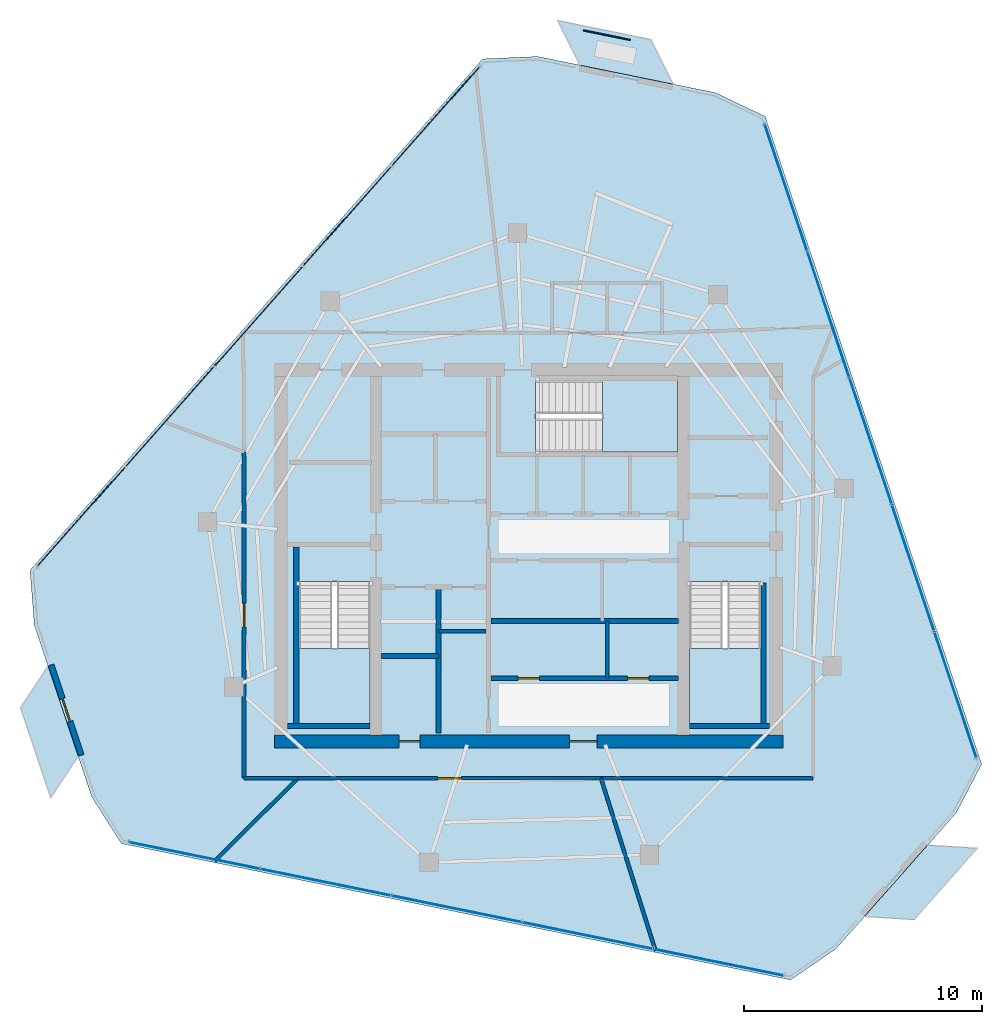
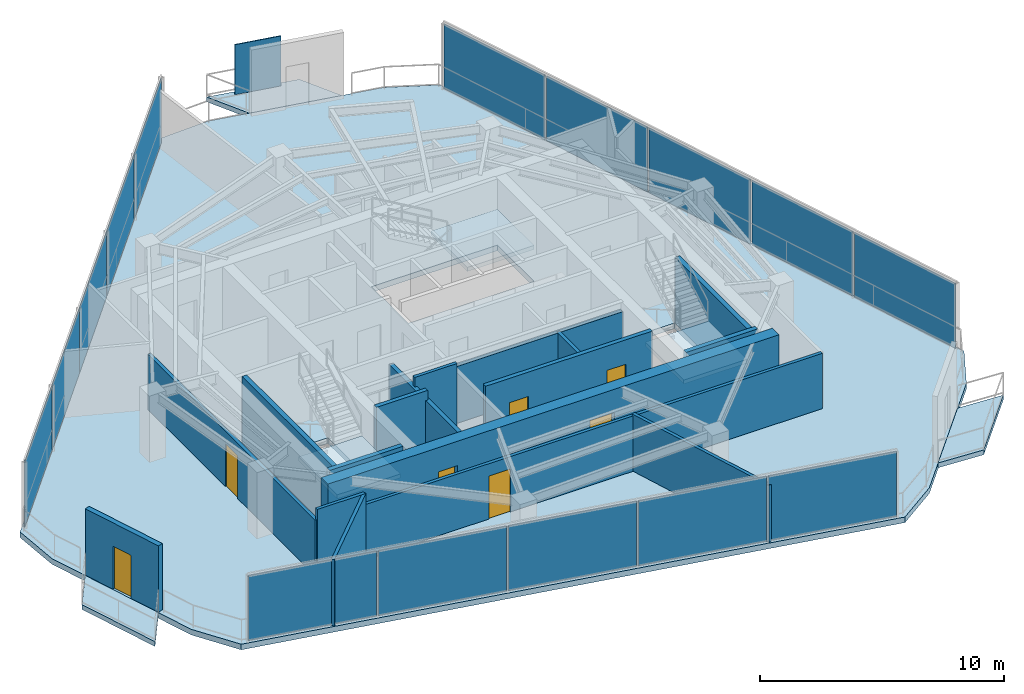
# One storey, part 14 of 18: 18 walls, 16 plates, 7 doors, 7 slabs, 7 openings, 6 elements without a shape of their own.
"""IFC4 building model written with IfcOpenShell, lengths in metres."""

from ifc_helpers import new_model, si_unit, direction, frame, frame_2d, origin, origin_2d, place, context, subcontext, project, spatial, polyline, rectangle, outline, extrude, material, layer, layer_set, type_object, element, fill, aggregate, save


model = new_model("IFC4")

# Units and contexts
model_context = context("Model", 3, precision=1e-05, world=origin(), true_north=direction((0.0, 1.0)))
body_context = subcontext(model_context, "Body", "Model", "MODEL_VIEW")
ifc_project = project(units=[si_unit("LENGTHUNIT", "METRE"), si_unit("AREAUNIT", "SQUARE_METRE"), si_unit("VOLUMEUNIT", "CUBIC_METRE"), si_unit("PLANEANGLEUNIT", "RADIAN"), si_unit("MASSUNIT", "GRAM", prefix="KILO")], contexts=[model_context])

# Site, building, storey
site_placement = place(None, origin())
site = spatial("IfcSite", under=ifc_project, at=site_placement, CompositionType="ELEMENT")
building_placement = place(site_placement, origin())
building = spatial("IfcBuilding", under=site, at=building_placement, Name="Qarnah Convention Tower", CompositionType="ELEMENT")
storey_placement = place(building_placement, frame((0.0, 0.0, 249.89990234375)))
storey = spatial("IfcBuildingStorey", under=building, at=storey_placement, Name="L67", CompositionType="ELEMENT", Elevation=249.89990234375)

# Curtain wall, plates
ifc_material_1 = material(Name="Tempered Low-E dark glass", Category="glass")
ifc_layer_1 = layer(ifc_material_1, 0.176025390625)
ifc_layer_set_1 = layer_set([ifc_layer_1], Name="Tempered Low-E dark glass")
curtain_wall_type = type_object("IfcCurtainWallType", Name="CWS-05", PredefinedType="NOTDEFINED", material=ifc_layer_set_1)
curtain_wall_1_placement = place(storey_placement, origin())
curtain_wall_1 = element("IfcCurtainWall", 1, at=curtain_wall_1_placement, inside=storey, type_object=curtain_wall_type, Name="L67 unitised curtain wall CW-L67-F1", PredefinedType="NOTDEFINED")
ifc_layer_2 = layer(ifc_material_1, 0.035888671875)
ifc_layer_set_2 = layer_set([ifc_layer_2], Name="Tempered Low-E dark glass")
plate_type_1 = type_object("IfcPlateType", Name="PNL-T5", PredefinedType="CURTAIN_PANEL", material=ifc_layer_set_2)
plate_1_placement = place(storey_placement, frame((48.0048828125, 41.85205078125, 0.0400390625), z_axis=(0.0, 0.0, 1.0), x_axis=(0.316986289479, -0.948430119873, 0.0)))
plate_1 = element("IfcPlate", 2, at=plate_1_placement, type_object=plate_type_1, Name="CW-L67-F1 curtain panel 1.1", PredefinedType="CURTAIN_PANEL", context=body_context, shape_type="SweptSolid", body=[
    extrude(rectangle(XDim=5.535400390625, YDim=0.035888671875, at=origin_2d()), origin(), (0.0, 0.0, 1.0), 3.239990234375),
])
plate_2_placement = place(storey_placement, frame((49.784912109375, 36.5263671875, 0.0400390625), z_axis=(0.0, 0.0, 1.0), x_axis=(0.316986289479, -0.948430119873, 0.0)))
plate_2 = element("IfcPlate", 3, at=plate_2_placement, type_object=plate_type_1, Name="CW-L67-F1 curtain panel 2.1", PredefinedType="CURTAIN_PANEL", context=body_context, shape_type="SweptSolid", body=[
    extrude(rectangle(XDim=5.535400390625, YDim=0.035888671875, at=origin_2d()), origin(), (0.0, 0.0, 1.0), 3.239990234375),
])
plate_3_placement = place(storey_placement, frame((51.56494140625, 31.200439453125, 0.0400390625), z_axis=(0.0, 0.0, 1.0), x_axis=(0.316986289479, -0.948430119873, 0.0)))
plate_3 = element("IfcPlate", 4, at=plate_3_placement, type_object=plate_type_1, Name="CW-L67-F1 curtain panel 3.1", PredefinedType="CURTAIN_PANEL", context=body_context, shape_type="SweptSolid", body=[
    extrude(rectangle(XDim=5.535400390625, YDim=0.035888671875, at=origin_2d()), origin(), (0.0, 0.0, 1.0), 3.239990234375),
])
plate_4_placement = place(storey_placement, frame((53.344970703125, 25.874755859375, 0.0400390625), z_axis=(0.0, 0.0, 1.0), x_axis=(0.316986289479, -0.948430119873, 0.0)))
plate_4 = element("IfcPlate", 5, at=plate_4_placement, type_object=plate_type_1, Name="CW-L67-F1 curtain panel 4.1", PredefinedType="CURTAIN_PANEL", context=body_context, shape_type="SweptSolid", body=[
    extrude(rectangle(XDim=5.535400390625, YDim=0.035888671875, at=origin_2d()), origin(), (0.0, 0.0, 1.0), 3.239990234375),
])
plate_5_placement = place(storey_placement, frame((55.125, 20.548828125, 0.0400390625), z_axis=(0.0, 0.0, 1.0), x_axis=(0.316986289479, -0.948430119873, 0.0)))
plate_5 = element("IfcPlate", 6, at=plate_5_placement, type_object=plate_type_1, Name="CW-L67-F1 curtain panel 5.1", PredefinedType="CURTAIN_PANEL", context=body_context, shape_type="SweptSolid", body=[
    extrude(rectangle(XDim=5.535400390625, YDim=0.035888671875, at=origin_2d()), origin(), (0.0, 0.0, 1.0), 3.239990234375),
])
aggregate(curtain_wall_1, [plate_1, plate_2, plate_3, plate_4, plate_5])

curtain_wall_2_placement = place(storey_placement, origin())
curtain_wall_2 = element("IfcCurtainWall", 7, at=curtain_wall_2_placement, inside=storey, type_object=curtain_wall_type, Name="L67 unitised curtain wall CW-L67-F2", PredefinedType="NOTDEFINED")
plate_6_placement = place(storey_placement, frame((18.4150390625, 28.031982421875, 0.0400390625), z_axis=(0.0, 0.0, 1.0), x_axis=(0.662883533537, 0.748722526017, 0.0)))
plate_6 = element("IfcPlate", 8, at=plate_6_placement, type_object=plate_type_1, Name="CW-L67-F2 curtain panel 1.1", PredefinedType="CURTAIN_PANEL", context=body_context, shape_type="SweptSolid", body=[
    extrude(rectangle(XDim=5.53515625, YDim=0.035888671875, at=origin_2d()), origin(), (0.0, 0.0, 1.0), 3.239990234375),
])
plate_7_placement = place(storey_placement, frame((22.13720703125, 32.236328125, 0.0400390625), z_axis=(0.0, 0.0, 1.0), x_axis=(0.662883533537, 0.748722526017, 0.0)))
plate_7 = element("IfcPlate", 9, at=plate_7_placement, type_object=plate_type_1, Name="CW-L67-F2 curtain panel 2.1", PredefinedType="CURTAIN_PANEL", context=body_context, shape_type="SweptSolid", body=[
    extrude(rectangle(XDim=5.53515625, YDim=0.035888671875, at=origin_2d()), origin(), (0.0, 0.0, 1.0), 3.239990234375),
])
plate_8_placement = place(storey_placement, frame((25.859619140625, 36.4404296875, 0.0400390625), z_axis=(0.0, 0.0, 1.0), x_axis=(0.662883533537, 0.748722526017, 0.0)))
plate_8 = element("IfcPlate", 10, at=plate_8_placement, type_object=plate_type_1, Name="CW-L67-F2 curtain panel 3.1", PredefinedType="CURTAIN_PANEL", context=body_context, shape_type="SweptSolid", body=[
    extrude(rectangle(XDim=5.53515625, YDim=0.035888671875, at=origin_2d()), origin(), (0.0, 0.0, 1.0), 3.239990234375),
])
plate_9_placement = place(storey_placement, frame((29.581787109375, 40.644775390625, 0.0400390625), z_axis=(0.0, 0.0, 1.0), x_axis=(0.662883533537, 0.748722526017, 0.0)))
plate_9 = element("IfcPlate", 11, at=plate_9_placement, type_object=plate_type_1, Name="CW-L67-F2 curtain panel 4.1", PredefinedType="CURTAIN_PANEL", context=body_context, shape_type="SweptSolid", body=[
    extrude(rectangle(XDim=5.53515625, YDim=0.035888671875, at=origin_2d()), origin(), (0.0, 0.0, 1.0), 3.239990234375),
])
plate_10_placement = place(storey_placement, frame((33.303955078125, 44.848876953125, 0.0400390625), z_axis=(0.0, 0.0, 1.0), x_axis=(0.662883533537, 0.748722526017, 0.0)))
plate_10 = element("IfcPlate", 12, at=plate_10_placement, type_object=plate_type_1, Name="CW-L67-F2 curtain panel 5.1", PredefinedType="CURTAIN_PANEL", context=body_context, shape_type="SweptSolid", body=[
    extrude(rectangle(XDim=5.53515625, YDim=0.035888671875, at=origin_2d()), origin(), (0.0, 0.0, 1.0), 3.239990234375),
])
aggregate(curtain_wall_2, [plate_6, plate_7, plate_8, plate_9, plate_10])

curtain_wall_3_placement = place(storey_placement, origin())
curtain_wall_3 = element("IfcCurtainWall", 13, at=curtain_wall_3_placement, inside=storey, type_object=curtain_wall_type, Name="L67 unitised curtain wall CW-L67-F3", PredefinedType="NOTDEFINED")
plate_11_placement = place(storey_placement, frame((45.178955078125, 9.31591796875, 0.0400390625), z_axis=(0.0, 0.0, 1.0), x_axis=(-0.979847899311, 0.199745073068, 0.0)))
plate_11 = element("IfcPlate", 14, at=plate_11_placement, type_object=plate_type_1, Name="CW-L67-F3 curtain panel 1.1", PredefinedType="CURTAIN_PANEL", context=body_context, shape_type="SweptSolid", body=[
    extrude(rectangle(XDim=5.53515625, YDim=0.035888671875, at=origin_2d()), origin(), (0.0, 0.0, 1.0), 3.239990234375),
])
plate_12_placement = place(storey_placement, frame((39.677001953125, 10.4375, 0.0400390625), z_axis=(0.0, 0.0, 1.0), x_axis=(-0.979847899311, 0.199745073068, 0.0)))
plate_12 = element("IfcPlate", 15, at=plate_12_placement, type_object=plate_type_1, Name="CW-L67-F3 curtain panel 2.1", PredefinedType="CURTAIN_PANEL", context=body_context, shape_type="SweptSolid", body=[
    extrude(rectangle(XDim=5.53515625, YDim=0.035888671875, at=origin_2d()), origin(), (0.0, 0.0, 1.0), 3.239990234375),
])
plate_13_placement = place(storey_placement, frame((34.175048828125, 11.55908203125, 0.0400390625), z_axis=(0.0, 0.0, 1.0), x_axis=(-0.979847899311, 0.199745073068, 0.0)))
plate_13 = element("IfcPlate", 16, at=plate_13_placement, type_object=plate_type_1, Name="CW-L67-F3 curtain panel 3.1", PredefinedType="CURTAIN_PANEL", context=body_context, shape_type="SweptSolid", body=[
    extrude(rectangle(XDim=5.53515625, YDim=0.035888671875, at=origin_2d()), origin(), (0.0, 0.0, 1.0), 3.239990234375),
])
plate_14_placement = place(storey_placement, frame((28.673095703125, 12.6806640625, 0.0400390625), z_axis=(0.0, 0.0, 1.0), x_axis=(-0.979847899311, 0.199745073068, 0.0)))
plate_14 = element("IfcPlate", 17, at=plate_14_placement, type_object=plate_type_1, Name="CW-L67-F3 curtain panel 4.1", PredefinedType="CURTAIN_PANEL", context=body_context, shape_type="SweptSolid", body=[
    extrude(rectangle(XDim=5.53515625, YDim=0.035888671875, at=origin_2d()), origin(), (0.0, 0.0, 1.0), 3.239990234375),
])
plate_15_placement = place(storey_placement, frame((23.1708984375, 13.80224609375, 0.0400390625), z_axis=(0.0, 0.0, 1.0), x_axis=(-0.979847899311, 0.199745073068, 0.0)))
plate_15 = element("IfcPlate", 18, at=plate_15_placement, type_object=plate_type_1, Name="CW-L67-F3 curtain panel 5.1", PredefinedType="CURTAIN_PANEL", context=body_context, shape_type="SweptSolid", body=[
    extrude(rectangle(XDim=5.53515625, YDim=0.035888671875, at=origin_2d()), origin(), (0.0, 0.0, 1.0), 3.239990234375),
])
aggregate(curtain_wall_3, [plate_11, plate_12, plate_13, plate_14, plate_15])

# Plate
ifc_material_2 = material(Name="Black anodised aluminium", Category="aluminium")
ifc_layer_3 = layer(ifc_material_2, 0.044921875)
ifc_layer_set_3 = layer_set([ifc_layer_3], Name="Black anodised aluminium")
plate_type_2 = type_object("IfcPlateType", Name="SCR-BAL-18", PredefinedType="USERDEFINED", material=ifc_layer_set_3)
plate_16_placement = place(storey_placement, frame((40.489013671875, 48.2490234375, 0.0), z_axis=(0.0, 0.0, 1.0), x_axis=(0.97984319963, -0.199768125932, 0.0)))
element("IfcPlate", 19, at=plate_16_placement, inside=storey, type_object=plate_type_2, Name="L67 perforated desert solar screen BAL-L67-C1", ObjectType="SCREEN", PredefinedType="USERDEFINED", context=body_context, shape_type="SweptSolid", body=[
    extrude(rectangle(XDim=2.0, YDim=0.044921875, at=origin_2d()), origin(), (0.0, 0.0, 1.0), 2.5),
])

# Slabs
ifc_material_3 = material(Name="Concrete C45/55", Category="concrete")
ifc_layer_4 = layer(ifc_material_3, 0.239990234375)
ifc_layer_set_4 = layer_set([ifc_layer_4], Name="Concrete C45/55")
slab_type_1 = type_object("IfcSlabType", Name="SLB-BAL-240", PredefinedType="USERDEFINED", material=ifc_layer_set_4)
slab_1_placement = place(storey_placement, frame((0.0, 0.0, -0.239990234375)))
element("IfcSlab", 20, at=slab_1_placement, inside=storey, type_object=slab_type_1, Name="L67 cantilevered balcony slab BAL-L67-C1", ObjectType="BALCONY", PredefinedType="USERDEFINED", context=body_context, shape_type="SweptSolid", body=[
    extrude(outline(polyline([(38.422119140625, 48.863037109375), (42.341064453125, 48.06396484375), (43.27392578125, 46.19091796875), (39.35400390625, 46.989990234375), (38.422119140625, 48.863037109375)])), origin(), (0.0, 0.0, 1.0), 0.239990234375),
])
slab_2_placement = place(storey_placement, frame((0.0, 0.0, -0.239990234375)))
element("IfcSlab", 21, at=slab_2_placement, inside=storey, type_object=slab_type_1, Name="L67 cantilevered balcony slab BAL-L67-C2", ObjectType="BALCONY", PredefinedType="USERDEFINED", context=body_context, shape_type="SweptSolid", body=[
    extrude(outline(polyline([(17.135009765625, 16.22607421875), (15.867919921875, 20.02001953125), (17.02294921875, 21.764892578125), (18.291015625, 17.969970703125), (17.135009765625, 16.22607421875)])), origin(), (0.0, 0.0, 1.0), 0.239990234375),
])
slab_3_placement = place(storey_placement, frame((0.0, 0.0, -0.239990234375)))
element("IfcSlab", 22, at=slab_3_placement, inside=storey, type_object=slab_type_1, Name="L67 cantilevered balcony slab BAL-L67-C3", ObjectType="BALCONY", PredefinedType="USERDEFINED", context=body_context, shape_type="SweptSolid", body=[
    extrude(outline(polyline([(56.04296875, 14.110107421875), (53.39111328125, 11.115966796875), (51.302001953125, 11.243896484375), (53.9541015625, 14.239013671875), (56.04296875, 14.110107421875)])), origin(), (0.0, 0.0, 1.0), 0.239990234375),
])

# Stair, slab
ifc_material_4 = material(Name="Concrete C50/60", Category="concrete")
stair_type = type_object("IfcStairType", Name="STR-OFF", PredefinedType="HALF_TURN_STAIR", material=ifc_material_4)
stair_1_placement = place(storey_placement, origin())
stair_1 = element("IfcStair", 23, at=stair_1_placement, inside=storey, type_object=stair_type, Name="L67 Core exit stair ST-1", PredefinedType="HALF_TURN_STAIR")
ifc_layer_5 = layer(ifc_material_4, 0.199951171875)
ifc_layer_set_5 = layer_set([ifc_layer_5], Name="Concrete C50/60")
slab_type_2 = type_object("IfcSlabType", Name="SLB-LANDING-200", PredefinedType="LANDING", material=ifc_layer_set_5)
slab_4_placement = place(storey_placement, frame((0.0, 0.0, 1.60009765625)))
slab_4 = element("IfcSlab", 24, at=slab_4_placement, type_object=slab_type_2, Name="ST-1 landing 1", PredefinedType="LANDING", context=body_context, shape_type="SweptSolid", body=[
    extrude(outline(polyline([(27.550048828125, 22.5), (27.550048828125, 19.35009765625), (30.550048828125, 19.35009765625), (30.550048828125, 22.5), (27.550048828125, 22.5)])), origin(), (0.0, 0.0, 1.0), 0.199951171875),
])
aggregate(stair_1, [slab_4])

stair_2_placement = place(storey_placement, origin())
stair_2 = element("IfcStair", 25, at=stair_2_placement, inside=storey, type_object=stair_type, Name="L67 Core exit stair ST-2", PredefinedType="HALF_TURN_STAIR")
slab_5_placement = place(storey_placement, frame((0.0, 0.0, 1.60009765625)))
slab_5 = element("IfcSlab", 26, at=slab_5_placement, type_object=slab_type_2, Name="ST-2 landing 1", PredefinedType="LANDING", context=body_context, shape_type="SweptSolid", body=[
    extrude(outline(polyline([(43.949951171875, 22.5), (43.949951171875, 19.35009765625), (46.949951171875, 19.35009765625), (46.949951171875, 22.5), (43.949951171875, 22.5)])), origin(), (0.0, 0.0, 1.0), 0.199951171875),
])
aggregate(stair_2, [slab_5])

stair_3_placement = place(storey_placement, origin())
stair_3 = element("IfcStair", 27, at=stair_3_placement, inside=storey, type_object=stair_type, Name="L67 Core exit stair ST-3", PredefinedType="HALF_TURN_STAIR")
slab_6_placement = place(storey_placement, frame((0.0, 0.0, 1.60009765625)))
slab_6 = element("IfcSlab", 28, at=slab_6_placement, type_object=slab_type_2, Name="ST-3 landing 1", PredefinedType="LANDING", context=body_context, shape_type="SweptSolid", body=[
    extrude(outline(polyline([(40.300048828125, 30.75), (43.449951171875, 30.75), (43.449951171875, 33.75), (40.300048828125, 33.75), (40.300048828125, 30.75)])), origin(), (0.0, 0.0, 1.0), 0.199951171875),
])
aggregate(stair_3, [slab_6])

# Slab
ifc_layer_6 = layer(ifc_material_3, 0.280029296875)
ifc_layer_set_6 = layer_set([ifc_layer_6], Name="Concrete C45/55")
slab_type_3 = type_object("IfcSlabType", Name="SLB-TWR-280", PredefinedType="FLOOR", material=ifc_layer_set_6)
slab_7_placement = place(storey_placement, frame((0.0, 0.0, -0.27978515625)))
element("IfcSlab", 29, at=slab_7_placement, inside=storey, type_object=slab_type_3, Name="L67 structural floor slab", PredefinedType="FLOOR", context=body_context, shape_type="SweptSolid", body=[
    extrude(outline(polyline([(35.27392578125, 47.2548828125), (16.264892578125, 25.784912109375), (16.446044921875, 23.47900390625), (18.860107421875, 16.2548828125), (20.10205078125, 14.304931640625), (48.199951171875, 8.577880859375), (50.10595703125, 9.886962890625), (55.155029296875, 15.590087890625), (56.22412109375, 17.639892578125), (47.134033203125, 44.837890625), (45.048095703125, 45.833984375), (37.583984375, 47.35498046875), (35.27392578125, 47.2548828125)]), holes=[polyline([(27.550048828125, 25.300048828125), (27.550048828125, 19.35009765625), (30.550048828125, 19.35009765625), (30.550048828125, 25.300048828125), (27.550048828125, 25.300048828125)]), polyline([(43.949951171875, 25.300048828125), (43.949951171875, 19.35009765625), (46.949951171875, 19.35009765625), (46.949951171875, 25.300048828125), (43.949951171875, 25.300048828125)]), polyline([(37.5, 30.75), (43.449951171875, 30.75), (43.449951171875, 33.75), (37.5, 33.75), (37.5, 30.75)])]), origin(), (0.0, 0.0, 1.0), 0.27978515625),
])

# Wall, openings, doors
ifc_material_5 = material(Name="Concrete C60/75", Category="concrete")
ifc_layer_7 = layer(ifc_material_5, 0.550048828125)
ifc_layer_set_7 = layer_set([ifc_layer_7], Name="Concrete C60/75")
wall_type_1 = type_object("IfcWallType", Name="WL-CORE-550", PredefinedType="SHEAR", material=ifc_layer_set_7)
wall_1_placement = place(storey_placement, frame((26.52490234375, 18.60009765625, 0.0), z_axis=(0.0, 0.0, 1.0), x_axis=(1.0, 0.0, 0.0)))
wall_1 = element("IfcWall", 30, at=wall_1_placement, inside=storey, type_object=wall_type_1, Name="L67 core south shear wall", PredefinedType="SHEAR", context=body_context, shape_type="SweptSolid", body=[
    extrude(rectangle(XDim=21.35009765625, YDim=0.550048828125, at=frame_2d((10.675048828125, 0.0))), origin(), (0.0, 0.0, 1.0), 3.320068359375),
])
opening_1_placement = place(wall_1_placement, frame((12.39990234375, 0.0, 0.0)))
opening_1 = element("IfcOpeningElement", 31, at=opening_1_placement, cuts=wall_1, Name="Opening D-6707", PredefinedType="OPENING", context=body_context, shape_type="SweptSolid", body=[
    extrude(rectangle(XDim=1.14990234375, YDim=2.14990234375, at=frame_2d((0.574951171875, 1.074951171875))), frame((0.0, 0.284912109375, 0.0), z_axis=(0.0, -1.0, 0.0), x_axis=(1.0, 0.0, 0.0)), (0.0, 0.0, 1.0), 0.570068359375),
])
opening_2_placement = place(wall_1_placement, frame((5.22509765625, 0.0, 0.0)))
opening_2 = element("IfcOpeningElement", 32, at=opening_2_placement, cuts=wall_1, Name="Opening D-6713", PredefinedType="OPENING", context=body_context, shape_type="SweptSolid", body=[
    extrude(rectangle(XDim=0.89990234375, YDim=2.10009765625, at=frame_2d((0.449951171875, 1.050048828125))), frame((0.0, 0.284912109375, 0.0), z_axis=(0.0, -1.0, 0.0), x_axis=(1.0, 0.0, 0.0)), (0.0, 0.0, 1.0), 0.570068359375),
])
ifc_material_6 = material(Name="Structural steel S355JR", Category="steel")
door_type_1 = type_object("IfcDoorType", Name="DT-LOBBY-1150", OperationType="NOTDEFINED", PredefinedType="DOOR", material=ifc_material_6)
door_1_placement = place(opening_1_placement, origin())
door_1 = element("IfcDoor", 33, at=door_1_placement, inside=storey, type_object=door_type_1, Name="Door D-6707", OperationType="SINGLE_SWING_RIGHT", OverallHeight=2.14990234375, OverallWidth=1.14990234375, PredefinedType="DOOR", context=body_context, shape_type="SweptSolid", body=[
    extrude(rectangle(XDim=1.14990234375, YDim=2.14990234375, at=frame_2d((0.574951171875, 1.074951171875))), frame((0.0, 0.02490234375, 0.0), z_axis=(0.0, -1.0, 0.0), x_axis=(1.0, 0.0, 0.0)), (0.0, 0.0, 1.0), 0.050048828125),
])
fill(opening_1, door_1)
door_type_2 = type_object("IfcDoorType", Name="DT-RISER-900", OperationType="NOTDEFINED", PredefinedType="DOOR", material=ifc_material_6)
door_2_placement = place(opening_2_placement, origin())
door_2 = element("IfcDoor", 34, at=door_2_placement, inside=storey, type_object=door_type_2, Name="Door D-6713", OperationType="SINGLE_SWING_RIGHT", OverallHeight=2.10009765625, OverallWidth=0.89990234375, PredefinedType="DOOR", context=body_context, shape_type="SweptSolid", body=[
    extrude(rectangle(XDim=0.89990234375, YDim=2.10009765625, at=frame_2d((0.449951171875, 1.050048828125))), frame((0.0, 0.02490234375, 0.0), z_axis=(0.0, -1.0, 0.0), x_axis=(1.0, 0.0, 0.0)), (0.0, 0.0, 1.0), 0.050048828125),
])
fill(opening_2, door_2)

# Walls
ifc_layer_8 = layer(ifc_material_3, 0.199951171875)
ifc_layer_set_8 = layer_set([ifc_layer_8], Name="Concrete C45/55")
wall_type_2 = type_object("IfcWallType", Name="WL-CORE-PART-200", PredefinedType="SOLIDWALL", material=ifc_layer_set_8)
wall_2_placement = place(storey_placement, frame((33.419921875, 18.949951171875, 0.0), z_axis=(0.0, 0.0, 1.0), x_axis=(0.0, 1.0, 0.0)))
element("IfcWall", 35, at=wall_2_placement, inside=storey, type_object=wall_type_2, Name="L67 interior wall IW-L67-SVLE", PredefinedType="SOLIDWALL", context=body_context, shape_type="SweptSolid", body=[
    extrude(rectangle(XDim=6.130126953125, YDim=0.199951171875, at=frame_2d((3.06494140625, 0.0))), origin(), (0.0, 0.0, 1.0), 2.841064453125),
])
wall_3_placement = place(storey_placement, frame((31.0, 22.179931640625, 0.0), z_axis=(0.0, 0.0, 1.0), x_axis=(1.0, 0.0, 0.0)))
element("IfcWall", 36, at=wall_3_placement, inside=storey, type_object=wall_type_2, Name="L67 interior wall IW-L67-SVLS", PredefinedType="SOLIDWALL", context=body_context, shape_type="SweptSolid", body=[
    extrude(rectangle(XDim=2.419921875, YDim=0.199951171875, at=frame_2d((1.2099609375, 0.0))), origin(), (0.0, 0.0, 1.0), 3.320068359375),
])
wall_4_placement = place(storey_placement, frame((35.6201171875, 23.64990234375, 0.0), z_axis=(0.0, 0.0, 1.0), x_axis=(1.0, 0.0, 0.0)))
element("IfcWall", 37, at=wall_4_placement, inside=storey, type_object=wall_type_2, Name="L67 interior wall IW-L67-PMPL", PredefinedType="SOLIDWALL", context=body_context, shape_type="SweptSolid", body=[
    extrude(rectangle(XDim=7.8798828125, YDim=0.199951171875, at=frame_2d((3.93994140625, 0.0))), origin(), (0.0, 0.0, 1.0), 2.841064453125),
])

# Wall, openings, doors
wall_5_placement = place(storey_placement, frame((35.6201171875, 21.25, 0.0), z_axis=(0.0, 0.0, 1.0), x_axis=(1.0, 0.0, 0.0)))
wall_5 = element("IfcWall", 38, at=wall_5_placement, inside=storey, type_object=wall_type_2, Name="L67 interior wall IW-L67-PLS", PredefinedType="SOLIDWALL", context=body_context, shape_type="SweptSolid", body=[
    extrude(rectangle(XDim=7.8798828125, YDim=0.199951171875, at=frame_2d((3.93994140625, 0.0))), origin(), (0.0, 0.0, 1.0), 3.320068359375),
])
opening_3_placement = place(wall_5_placement, frame((1.1298828125, 0.0, 0.0)))
opening_3 = element("IfcOpeningElement", 39, at=opening_3_placement, cuts=wall_5, Name="Opening D-6716", PredefinedType="OPENING", context=body_context, shape_type="SweptSolid", body=[
    extrude(rectangle(XDim=0.89990234375, YDim=2.10009765625, at=frame_2d((0.449951171875, 1.050048828125))), frame((0.0, 0.10986328125, 0.0), z_axis=(0.0, -1.0, 0.0), x_axis=(1.0, 0.0, 0.0)), (0.0, 0.0, 1.0), 0.219970703125),
])
opening_4_placement = place(wall_5_placement, frame((5.72998046875, 0.0, 0.0)))
opening_4 = element("IfcOpeningElement", 40, at=opening_4_placement, cuts=wall_5, Name="Opening D-6717", PredefinedType="OPENING", context=body_context, shape_type="SweptSolid", body=[
    extrude(rectangle(XDim=0.89990234375, YDim=2.10009765625, at=frame_2d((0.449951171875, 1.050048828125))), frame((0.0, 0.10986328125, 0.0), z_axis=(0.0, -1.0, 0.0), x_axis=(1.0, 0.0, 0.0)), (0.0, 0.0, 1.0), 0.219970703125),
])
door_3_placement = place(opening_3_placement, origin())
door_3 = element("IfcDoor", 41, at=door_3_placement, inside=storey, type_object=door_type_2, Name="Door D-6716", OperationType="SINGLE_SWING_LEFT", OverallHeight=2.10009765625, OverallWidth=0.89990234375, PredefinedType="DOOR", context=body_context, shape_type="SweptSolid", body=[
    extrude(rectangle(XDim=0.89990234375, YDim=2.10009765625, at=frame_2d((0.449951171875, 1.050048828125))), frame((0.0, 0.02490234375, 0.0), z_axis=(0.0, -1.0, 0.0), x_axis=(1.0, 0.0, 0.0)), (0.0, 0.0, 1.0), 0.050048828125),
])
fill(opening_3, door_3)
door_4_placement = place(opening_4_placement, origin())
door_4 = element("IfcDoor", 42, at=door_4_placement, inside=storey, type_object=door_type_2, Name="Door D-6717", OperationType="SINGLE_SWING_RIGHT", OverallHeight=2.10009765625, OverallWidth=0.89990234375, PredefinedType="DOOR", context=body_context, shape_type="SweptSolid", body=[
    extrude(rectangle(XDim=0.89990234375, YDim=2.10009765625, at=frame_2d((0.449951171875, 1.050048828125))), frame((0.0, 0.02490234375, 0.0), z_axis=(0.0, -1.0, 0.0), x_axis=(1.0, 0.0, 0.0)), (0.0, 0.0, 1.0), 0.050048828125),
])
fill(opening_4, door_4)

# Walls
ifc_layer_9 = layer(ifc_material_5, 0.219970703125)
ifc_layer_set_9 = layer_set([ifc_layer_9], Name="Concrete C60/75")
wall_type_3 = type_object("IfcWallType", Name="WL-CORE-STAIR-220", PredefinedType="SHEAR", material=ifc_layer_set_9)
wall_6_placement = place(storey_placement, frame((27.43994140625, 19.35009765625, 0.0), z_axis=(0.0, 0.0, 1.0), x_axis=(0.0, 1.0, 0.0)))
element("IfcWall", 43, at=wall_6_placement, inside=storey, type_object=wall_type_3, Name="L67 stair shaft shear wall SW-L67-ST1W", PredefinedType="SHEAR", context=body_context, shape_type="SweptSolid", body=[
    extrude(rectangle(XDim=7.39990234375, YDim=0.219970703125, at=frame_2d((3.699951171875, 0.0))), origin(), (0.0, 0.0, 1.0), 3.320068359375),
])
wall_7_placement = place(storey_placement, frame((27.074951171875, 19.239990234375, 0.0), z_axis=(0.0, 0.0, 1.0), x_axis=(1.0, 0.0, 0.0)))
element("IfcWall", 44, at=wall_7_placement, inside=storey, type_object=wall_type_3, Name="L67 stair shaft shear wall SW-L67-ST1S", PredefinedType="SHEAR", context=body_context, shape_type="SweptSolid", body=[
    extrude(rectangle(XDim=3.47509765625, YDim=0.219970703125, at=frame_2d((1.737548828125, 0.0))), origin(), (0.0, 0.0, 1.0), 3.320068359375),
])
wall_8_placement = place(storey_placement, frame((47.06005859375, 19.35009765625, 0.0), z_axis=(0.0, 0.0, 1.0), x_axis=(0.0, 1.0, 0.0)))
element("IfcWall", 45, at=wall_8_placement, inside=storey, type_object=wall_type_3, Name="L67 stair shaft shear wall SW-L67-ST2E", PredefinedType="SHEAR", context=body_context, shape_type="SweptSolid", body=[
    extrude(rectangle(XDim=5.89990234375, YDim=0.219970703125, at=frame_2d((2.949951171875, 0.0))), origin(), (0.0, 0.0, 1.0), 3.320068359375),
])
wall_9_placement = place(storey_placement, frame((43.949951171875, 19.239990234375, 0.0), z_axis=(0.0, 0.0, 1.0), x_axis=(1.0, 0.0, 0.0)))
element("IfcWall", 46, at=wall_9_placement, inside=storey, type_object=wall_type_3, Name="L67 stair shaft shear wall SW-L67-ST2S", PredefinedType="SHEAR", context=body_context, shape_type="SweptSolid", body=[
    extrude(rectangle(XDim=3.375, YDim=0.219970703125, at=frame_2d((1.6875, 0.0))), origin(), (0.0, 0.0, 1.0), 3.320068359375),
])

# Wall, opening, door
ifc_material_7 = material(Name="Precast concrete C45/55", Category="concrete")
ifc_layer_10 = layer(ifc_material_7, 0.239990234375)
ifc_layer_set_10 = layer_set([ifc_layer_10], Name="Precast concrete C45/55")
wall_type_4 = type_object("IfcWallType", Name="WL-EXT-BAL-240", PredefinedType="SOLIDWALL", material=ifc_layer_set_10)
wall_10_placement = place(storey_placement, frame((18.419921875, 18.014892578125, 0.0), z_axis=(0.0, 0.0, 1.0), x_axis=(-0.316923411172, 0.948451132875, 0.0)))
wall_10 = element("IfcWall", 47, at=wall_10_placement, inside=storey, type_object=wall_type_4, Name="L67 loggia threshold wall BAL-L67-C2", PredefinedType="SOLIDWALL", context=body_context, shape_type="SweptSolid", body=[
    extrude(rectangle(XDim=4.00048828125, YDim=0.239990234375, at=frame_2d((2.000244140625, 0.0))), origin(), (0.0, 0.0, 1.0), 3.320068359375),
])
opening_5_placement = place(wall_10_placement, frame((1.5, 0.0, 0.0)))
opening_5 = element("IfcOpeningElement", 48, at=opening_5_placement, cuts=wall_10, Name="Opening BD-6702", PredefinedType="OPENING", context=body_context, shape_type="SweptSolid", body=[
    extrude(rectangle(XDim=1.0, YDim=2.14990234375, at=frame_2d((0.5, 1.074951171875))), frame((0.0, 0.1298828125, 0.0), z_axis=(0.0, -1.0, 0.0), x_axis=(1.0, 0.0, 0.0)), (0.0, 0.0, 1.0), 0.260009765625),
])
door_type_3 = type_object("IfcDoorType", Name="DT-BAL-1000", OperationType="NOTDEFINED", PredefinedType="DOOR", material=ifc_material_2)
door_5_placement = place(opening_5_placement, origin())
door_5 = element("IfcDoor", 49, at=door_5_placement, inside=storey, type_object=door_type_3, Name="L67 balcony terrace door BAL-L67-C2", OperationType="SINGLE_SWING_LEFT", OverallHeight=2.14990234375, OverallWidth=1.0, PredefinedType="DOOR", context=body_context, shape_type="SweptSolid", body=[
    extrude(rectangle(XDim=1.0, YDim=2.14990234375, at=frame_2d((0.5, 1.074951171875))), frame((0.0, 0.02490234375, 0.0), z_axis=(0.0, -1.0, 0.0), x_axis=(1.0, 0.0, 0.0)), (0.0, 0.0, 1.0), 0.050048828125),
])
fill(opening_5, door_5)

# Walls
ifc_material_8 = material(Name="Gypsum partition board")
ifc_layer_11 = layer(ifc_material_8, 0.14990234375)
ifc_layer_set_11 = layer_set([ifc_layer_11], Name="Gypsum partition board")
wall_type_5 = type_object("IfcWallType", Name="WL-SUITE-150", PredefinedType="PARTITIONING", material=ifc_layer_set_11)
wall_11_placement = place(storey_placement, frame((33.419921875, 23.219970703125, 0.0), z_axis=(0.0, 0.0, 1.0), x_axis=(1.0, 0.0, 0.0)))
element("IfcWall", 50, at=wall_11_placement, inside=storey, type_object=wall_type_5, Name="L67 interior wall IW-L67-CSV1", PredefinedType="PARTITIONING", context=body_context, shape_type="SweptSolid", body=[
    extrude(rectangle(XDim=2.0, YDim=0.14990234375, at=frame_2d((1.0, 0.0))), origin(), (0.0, 0.0, 1.0), 3.320068359375),
])
wall_12_placement = place(storey_placement, frame((40.5, 21.25, 0.0), z_axis=(0.0, 0.0, 1.0), x_axis=(0.0, 1.0, 0.0)))
element("IfcWall", 51, at=wall_12_placement, inside=storey, type_object=wall_type_5, Name="L67 interior wall IW-L67-PLFD", PredefinedType="PARTITIONING", context=body_context, shape_type="SweptSolid", body=[
    extrude(rectangle(XDim=2.39990234375, YDim=0.14990234375, at=frame_2d((1.199951171875, 0.0))), origin(), (0.0, 0.0, 1.0), 2.841064453125),
])
wall_13_placement = place(storey_placement, frame((24.01611328125, 13.574951171875, 0.0), z_axis=(0.0, 0.0, 1.0), x_axis=(0.709823258056, 0.704379828163, 0.0)))
element("IfcWall", 52, at=wall_13_placement, inside=storey, type_object=wall_type_5, Name="L67 interior wall IW-L67-R-16", PredefinedType="PARTITIONING", context=body_context, shape_type="SweptSolid", body=[
    extrude(rectangle(XDim=4.93359375, YDim=0.14990234375, at=frame_2d((2.466796875, 0.0))), origin(), (0.0, 0.0, 1.0), 3.320068359375),
])
wall_14_placement = place(storey_placement, frame((27.51806640625, 17.050048828125, 0.0), z_axis=(0.0, 0.0, 1.0), x_axis=(-1.0, 0.0, 0.0)))
element("IfcWall", 53, at=wall_14_placement, inside=storey, type_object=wall_type_5, Name="L67 interior wall IW-L67-R-17", PredefinedType="PARTITIONING", context=body_context, shape_type="SweptSolid", body=[
    extrude(rectangle(XDim=2.26806640625, YDim=0.14990234375, at=frame_2d((1.134033203125, 0.0))), origin(), (0.0, 0.0, 1.0), 3.320068359375),
])

# Wall, opening, door
wall_15_placement = place(storey_placement, frame((25.25, 17.050048828125, 0.0), z_axis=(0.0, 0.0, 1.0), x_axis=(0.0, 1.0, 0.0)))
wall_15 = element("IfcWall", 54, at=wall_15_placement, inside=storey, type_object=wall_type_5, Name="L67 interior wall IW-L67-R-18", PredefinedType="PARTITIONING", context=body_context, shape_type="SweptSolid", body=[
    extrude(rectangle(XDim=13.698974609375, YDim=0.14990234375, at=frame_2d((6.849609375, 0.0))), origin(), (0.0, 0.0, 1.0), 2.76904296875),
])
opening_6_placement = place(wall_15_placement, frame((6.34912109375, 0.0, 0.0)))
opening_6 = element("IfcOpeningElement", 55, at=opening_6_placement, cuts=wall_15, Name="Opening D-6724", PredefinedType="OPENING", context=body_context, shape_type="SweptSolid", body=[
    extrude(rectangle(XDim=1.0, YDim=2.14990234375, at=frame_2d((0.5, 1.074951171875))), frame((0.0, 0.0849609375, 0.0), z_axis=(0.0, -1.0, 0.0), x_axis=(1.0, 0.0, 0.0)), (0.0, 0.0, 1.0), 0.169921875),
])
ifc_material_9 = material(Name="Oak timber veneer", Category="wood")
door_type_4 = type_object("IfcDoorType", Name="DT-OFFICE-1000", OperationType="NOTDEFINED", PredefinedType="DOOR", material=ifc_material_9)
door_6_placement = place(opening_6_placement, origin())
door_6 = element("IfcDoor", 56, at=door_6_placement, inside=storey, type_object=door_type_4, Name="Door D-6724", OperationType="SINGLE_SWING_LEFT", OverallHeight=2.14990234375, OverallWidth=1.0, PredefinedType="DOOR", context=body_context, shape_type="SweptSolid", body=[
    extrude(rectangle(XDim=1.0, YDim=2.14990234375, at=frame_2d((0.5, 1.074951171875))), frame((0.0, 0.02490234375, 0.0), z_axis=(0.0, -1.0, 0.0), x_axis=(1.0, 0.0, 0.0)), (0.0, 0.0, 1.0), 0.050048828125),
])
fill(opening_6, door_6)

# Wall
wall_16_placement = place(storey_placement, frame((42.531005859375, 9.804931640625, 0.0), z_axis=(0.0, 0.0, 1.0), x_axis=(-0.301734027459, 0.953392142129, 0.0)))
element("IfcWall", 57, at=wall_16_placement, inside=storey, type_object=wall_type_5, Name="L67 interior wall IW-L67-R-19", PredefinedType="PARTITIONING", context=body_context, shape_type="SweptSolid", body=[
    extrude(rectangle(XDim=7.599365234375, YDim=0.14990234375, at=frame_2d((3.7998046875, 0.0))), origin(), (0.0, 0.0, 1.0), 2.84521484375),
])

# Wall, opening, door
wall_17_placement = place(storey_placement, frame((40.238037109375, 17.050048828125, 0.0), z_axis=(0.0, 0.0, 1.0), x_axis=(-1.0, 0.0, 0.0)))
wall_17 = element("IfcWall", 58, at=wall_17_placement, inside=storey, type_object=wall_type_5, Name="L67 interior wall IW-L67-R-20", PredefinedType="PARTITIONING", context=body_context, shape_type="SweptSolid", body=[
    extrude(rectangle(XDim=12.719970703125, YDim=0.14990234375, at=frame_2d((6.35986328125, 0.0))), origin(), (0.0, 0.0, 1.0), 2.76904296875),
])
opening_7_placement = place(wall_17_placement, frame((5.860107421875, 0.0, 0.0)))
opening_7 = element("IfcOpeningElement", 59, at=opening_7_placement, cuts=wall_17, Name="Opening D-6725", PredefinedType="OPENING", context=body_context, shape_type="SweptSolid", body=[
    extrude(rectangle(XDim=1.0, YDim=2.14990234375, at=frame_2d((0.5, 1.074951171875))), frame((0.0, 0.0849609375, 0.0), z_axis=(0.0, -1.0, 0.0), x_axis=(1.0, 0.0, 0.0)), (0.0, 0.0, 1.0), 0.169921875),
])
door_7_placement = place(opening_7_placement, origin())
door_7 = element("IfcDoor", 60, at=door_7_placement, inside=storey, type_object=door_type_4, Name="Door D-6725", OperationType="SINGLE_SWING_RIGHT", OverallHeight=2.14990234375, OverallWidth=1.0, PredefinedType="DOOR", context=body_context, shape_type="SweptSolid", body=[
    extrude(rectangle(XDim=1.0, YDim=2.14990234375, at=frame_2d((0.5, 1.074951171875))), frame((0.0, 0.02490234375, 0.0), z_axis=(0.0, -1.0, 0.0), x_axis=(1.0, 0.0, 0.0)), (0.0, 0.0, 1.0), 0.050048828125),
])
fill(opening_7, door_7)

# Wall
wall_18_placement = place(storey_placement, frame((49.14990234375, 17.050048828125, 0.0), z_axis=(0.0, 0.0, 1.0), x_axis=(-1.0, 0.0, 0.0)))
element("IfcWall", 61, at=wall_18_placement, inside=storey, type_object=wall_type_5, Name="L67 interior wall IW-L67-R-22", PredefinedType="PARTITIONING", context=body_context, shape_type="SweptSolid", body=[
    extrude(rectangle(XDim=8.911865234375, YDim=0.14990234375, at=frame_2d((4.4560546875, 0.0))), origin(), (0.0, 0.0, 1.0), 2.76904296875),
])

save(model, "model.ifc")
